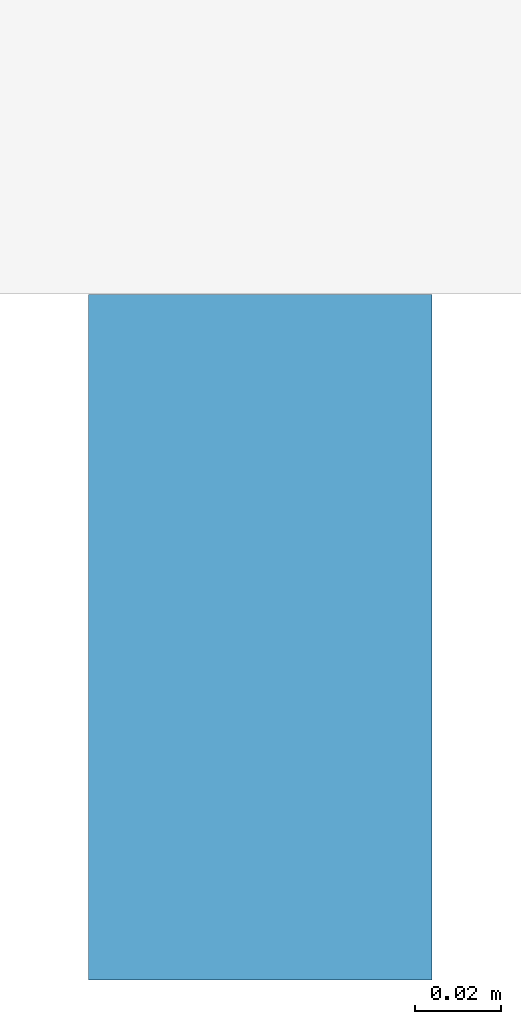
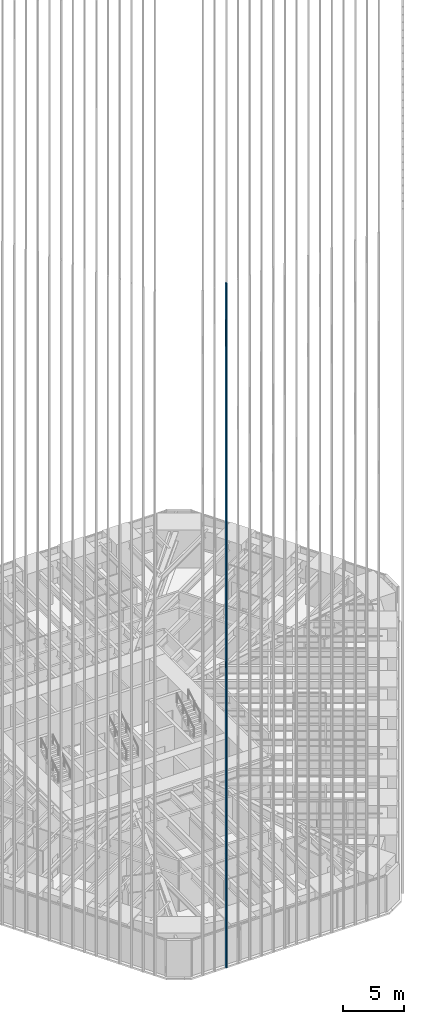
# One storey, part 29 of 256: 1 member, 1 element without a shape of its own.
"""IFC4 building model written with IfcOpenShell, lengths in metres."""

import ifcopenshell
import ifcopenshell.guid

model = None  # the IFC model being written
_history = None  # IfcOwnerHistory: only IFC2X3 demands one
_inside = {}  # id of a spatial element -> (the spatial element, [elements in it])
_under = {}  # id of a project, library or spatial element -> (it, [spatial elements below it])
_declared = {}  # id of a project -> (the project, [libraries it declares])
_typed = {}  # id of a type object -> (the type object, [elements of that type])
_made_of = {}  # id of a material, layer set ... -> (it, [elements and type objects made of it])


def new_model(schema):
    """Start an empty IFC model of exactly this schema.

    Asked for "IFC4X3", IfcOpenShell would pick the latest addendum, in which some entities
    have other attributes; the version numbers below select the first issue.
    IFC2X3 requires an IfcOwnerHistory on every rooted entity: one is made here for all.
    """
    global model, _history
    if schema == "IFC4X3":
        model = ifcopenshell.file(schema_version=(4, 3, 0, 0))
    else:
        model = ifcopenshell.file(schema=schema)
    _inside.clear()
    _under.clear()
    _declared.clear()
    _typed.clear()
    _made_of.clear()
    _history = None
    if model.schema == "IFC2X3":
        org = make("IfcOrganization", Name="unknown")
        user = make(
            "IfcPersonAndOrganization",
            ThePerson=make("IfcPerson", FamilyName="unknown"),
            TheOrganization=org,
        )
        app = make(
            "IfcApplication",
            ApplicationDeveloper=org,
            Version="unknown",
            ApplicationFullName="unknown",
            ApplicationIdentifier="unknown",
        )
        _history = make(
            "IfcOwnerHistory",
            OwningUser=user,
            OwningApplication=app,
            ChangeAction="ADDED",
            CreationDate=0,
        )
    return model


def make(cls, **values):
    """One entity of the class cls with the attributes given. An attribute that is None is left unset."""
    return model.create_entity(
        cls, **{name: value for name, value in values.items() if value is not None}
    )


def rooted(cls, **values):
    """An entity with a GlobalId (a new one), such as an element, a storey or a relation."""
    return make(cls, GlobalId=ifcopenshell.guid.new(), OwnerHistory=_history, **values)


def si_unit(unit_type, name, prefix=None):
    """IfcSIUnit, for example si_unit("LENGTHUNIT", "METRE", prefix="MILLI")."""
    return make("IfcSIUnit", UnitType=unit_type, Prefix=prefix, Name=name)


def assignment(units):
    """IfcUnitAssignment: the units of a project."""
    return None if units is None else make("IfcUnitAssignment", Units=units)


def point(xyz):
    """IfcCartesianPoint."""
    return None if xyz is None else make("IfcCartesianPoint", Coordinates=xyz)


def direction(xyz):
    """IfcDirection."""
    return None if xyz is None else make("IfcDirection", DirectionRatios=xyz)


def frame(location, z_axis=None, x_axis=None):
    """IfcAxis2Placement3D, a coordinate frame: its origin and axes. An axis left out is left unset."""
    return make(
        "IfcAxis2Placement3D",
        Location=point(location),
        Axis=direction(z_axis),
        RefDirection=direction(x_axis),
    )


def frame_2d(location, x_axis=None):
    """IfcAxis2Placement2D, a coordinate frame in the plane: its origin and x axis."""
    return make(
        "IfcAxis2Placement2D", Location=point(location), RefDirection=direction(x_axis)
    )


def origin():
    """The frame at (0, 0, 0) with its axes left unset."""
    return frame((0.0, 0.0, 0.0))


def origin_2d():
    """The frame at (0, 0) in the plane with its x axis left unset."""
    return frame_2d((0.0, 0.0))


def place(relative_to, where):
    """IfcLocalPlacement: puts the frame where relative to a parent placement (None: the world)."""
    return make(
        "IfcLocalPlacement", PlacementRelTo=relative_to, RelativePlacement=where
    )


def context(
    kind, dimensions, precision=None, world=None, true_north=None, identifier=None
):
    """IfcGeometricRepresentationContext, for example the 3D "Model" context."""
    return make(
        "IfcGeometricRepresentationContext",
        ContextIdentifier=identifier,
        ContextType=kind,
        CoordinateSpaceDimension=dimensions,
        Precision=precision,
        WorldCoordinateSystem=world,
        TrueNorth=true_north,
    )


def subcontext(parent, identifier, kind, view, scale=None):
    """IfcGeometricRepresentationSubContext, for example "Body" below "Model"."""
    return make(
        "IfcGeometricRepresentationSubContext",
        ContextIdentifier=identifier,
        ContextType=kind,
        ParentContext=parent,
        TargetScale=scale,
        TargetView=view,
    )


def project(units=None, contexts=None):
    """IfcProject with its units and contexts."""
    return rooted(
        "IfcProject",
        Name="project",
        RepresentationContexts=contexts,
        UnitsInContext=assignment(units),
    )


def spatial(cls, under=None, at=None, **own):
    """A site, building, storey or space (cls), placed at a placement, below another one or the project."""
    s = rooted(cls, ObjectPlacement=at, **own)
    if under is not None:
        _under.setdefault(under.id(), (under, []))[1].append(s)
    return s


def profile(cls, at=None, kind="AREA", **sizes):
    """A parametric profile (cls). Its sizes go by their IFC names, for example OverallWidth=200.0."""
    return make(cls, ProfileType=kind, Position=at, **sizes)


def rectangle(**sizes):
    """IfcRectangleProfileDef."""
    return profile("IfcRectangleProfileDef", **sizes)


def extrude(swept, where, along, depth):
    """IfcExtrudedAreaSolid: the profile swept, set in the frame where, extruded along a direction by depth."""
    return make(
        "IfcExtrudedAreaSolid",
        SweptArea=swept,
        Position=where,
        ExtrudedDirection=direction(along),
        Depth=depth,
    )


def shape(context_of_items, identifier, shape_type, items):
    """IfcShapeRepresentation: the items that make up one representation, for example the "Body"."""
    return make(
        "IfcShapeRepresentation",
        ContextOfItems=context_of_items,
        RepresentationIdentifier=identifier,
        RepresentationType=shape_type,
        Items=items,
    )


def material(Name=None, Category=None):
    """IfcMaterial."""
    return make("IfcMaterial", Name=Name, Category=Category)


def material_profile(
    of_material, cross_section, Name=None, Category=None, Priority=None
):
    """IfcMaterialProfile: a cross section and its material."""
    return make(
        "IfcMaterialProfile",
        Name=Name,
        Material=of_material,
        Profile=cross_section,
        Priority=Priority,
        Category=Category,
    )


def profile_set(profiles, Name=None, composite=None):
    """IfcMaterialProfileSet."""
    return make(
        "IfcMaterialProfileSet",
        Name=Name,
        MaterialProfiles=profiles,
        CompositeProfile=composite,
    )


def made_of(thing, what):
    """Note that an element or type object is made of a material, layer set ...; save() writes the relation."""
    if what is not None:
        _made_of.setdefault(what.id(), (what, []))[1].append(thing)
    return thing


def type_object(cls, material=None, **own):
    """A type object (cls), such as IfcWallType, which elements share."""
    return made_of(rooted(cls, **own), material)


def element(
    cls,
    number,
    at=None,
    inside=None,
    cuts=None,
    type_object=None,
    material=None,
    context=None,
    identifier="Body",
    shape_type=None,
    held_by="IfcProductDefinitionShape",
    body=None,
    shapes=None,
    **own,
):
    """One element of the class cls, such as IfcWall. Its Tag is "e" and its number.

    at: its placement. inside: the storey or other place that contains it. cuts: it is an
    opening in that element (IfcRelVoidsElement). A single representation is given by context,
    identifier, shape_type and body (its items); several are given by shapes. held_by: the class
    of the entity that holds the representations. save() writes the other relations.
    """
    e = rooted(cls, Tag="e%d" % number, ObjectPlacement=at, **own)
    if body is not None:
        shapes = [shape(context, identifier, shape_type, body)]
    if shapes is not None:
        e.Representation = make(held_by, Representations=shapes)
    if inside is not None:
        _inside.setdefault(inside.id(), (inside, []))[1].append(e)
    if cuts is not None:
        rooted(
            "IfcRelVoidsElement", RelatingBuildingElement=cuts, RelatedOpeningElement=e
        )
    if type_object is not None:
        _typed.setdefault(type_object.id(), (type_object, []))[1].append(e)
    return made_of(e, material)


def aggregate(whole, parts):
    """IfcRelAggregates: a whole, such as a stair, and the parts it consists of."""
    return rooted("IfcRelAggregates", RelatingObject=whole, RelatedObjects=parts)


def save(model, path):
    """Write the relations noted so far, then the file.

    IfcRelAggregates (storeys below a building ...), IfcRelContainedInSpatialStructure (elements
    in a storey), IfcRelDefinesByType, IfcRelAssociatesMaterial and IfcRelDeclares: one each for
    every whole, place, type object, material and project.
    """
    for whole, parts in _under.values():
        aggregate(whole, parts)
    for where, things in _inside.values():
        rooted(
            "IfcRelContainedInSpatialStructure",
            RelatedElements=things,
            RelatingStructure=where,
        )
    for kind, things in _typed.values():
        rooted("IfcRelDefinesByType", RelatedObjects=things, RelatingType=kind)
    for what, things in _made_of.values():
        rooted("IfcRelAssociatesMaterial", RelatedObjects=things, RelatingMaterial=what)
    for by, libraries in _declared.values():
        rooted("IfcRelDeclares", RelatingContext=by, RelatedDefinitions=libraries)
    model.write(path)


model = new_model("IFC4")

# Units and contexts
model_context = context("Model", 3, precision=1e-05, world=origin(), true_north=direction((0.0, 1.0)))
body_context = subcontext(model_context, "Body", "Model", "MODEL_VIEW")
ifc_project = project(units=[si_unit("LENGTHUNIT", "METRE"), si_unit("AREAUNIT", "SQUARE_METRE"), si_unit("VOLUMEUNIT", "CUBIC_METRE"), si_unit("PLANEANGLEUNIT", "RADIAN"), si_unit("MASSUNIT", "GRAM", prefix="KILO")], contexts=[model_context])

# Site, building, storey
site_placement = place(None, origin())
site = spatial("IfcSite", under=ifc_project, at=site_placement, CompositionType="ELEMENT")
building_placement = place(site_placement, origin())
building = spatial("IfcBuilding", under=site, at=building_placement, Name="Sandreach Pilgrim Tower", CompositionType="ELEMENT")
storey_placement = place(building_placement, frame((0.0, 0.0, 23.0)))
storey = spatial("IfcBuildingStorey", under=building, at=storey_placement, Name="L04", CompositionType="ELEMENT", Elevation=23.0)

# Curtain wall, member
ifc_material_1 = material(Name="Aluminium framed curtain wall", Category="aluminium")
curtain_wall_type = type_object("IfcCurtainWallType", Name="Hostel tower curtain wall", PredefinedType="NOTDEFINED", material=ifc_material_1)
curtain_wall_placement = place(storey_placement, origin())
curtain_wall = element("IfcCurtainWall", 1, at=curtain_wall_placement, inside=storey, type_object=curtain_wall_type, Name="CW-1 L04 S", PredefinedType="NOTDEFINED")
ifc_material_2 = material(Name="Extruded terracotta on aluminium core", Category="masonry")
ifc_material_profile = material_profile(ifc_material_2, rectangle(XDim=0.080078125, YDim=0.159912109375, at=origin_2d()), Name="TBS 80X160")
ifc_profile_set = profile_set([ifc_material_profile], Name="Extruded terracotta on aluminium core")
member_type = type_object("IfcMemberType", Name="Terracotta baguette south", PredefinedType="USERDEFINED", material=ifc_profile_set)
member_placement = place(storey_placement, frame((-6.076904296875, -30.390869140625, 0.0), z_axis=(0.0, 0.0, 1.0), x_axis=(-1.0, 0.0, 0.0)))
member = element("IfcMember", 2, at=member_placement, type_object=member_type, Name="Baguette Z1 S14", ObjectType="BAGUETTE", PredefinedType="USERDEFINED", context=body_context, shape_type="SweptSolid", body=[
    extrude(rectangle(XDim=0.080078125, YDim=0.159912109375, at=origin_2d()), origin(), (0.0, 0.0, 1.0), 68.239990234375),
])
aggregate(curtain_wall, [member])

save(model, "model.ifc")
